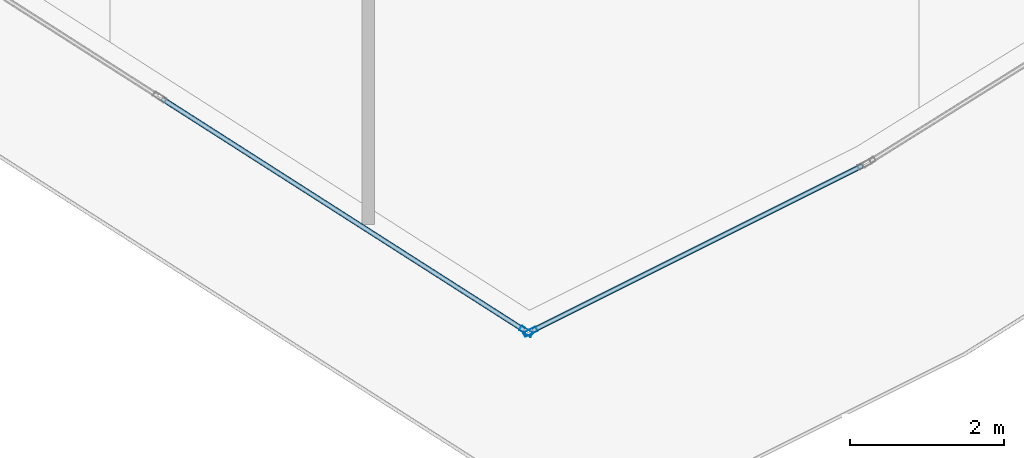
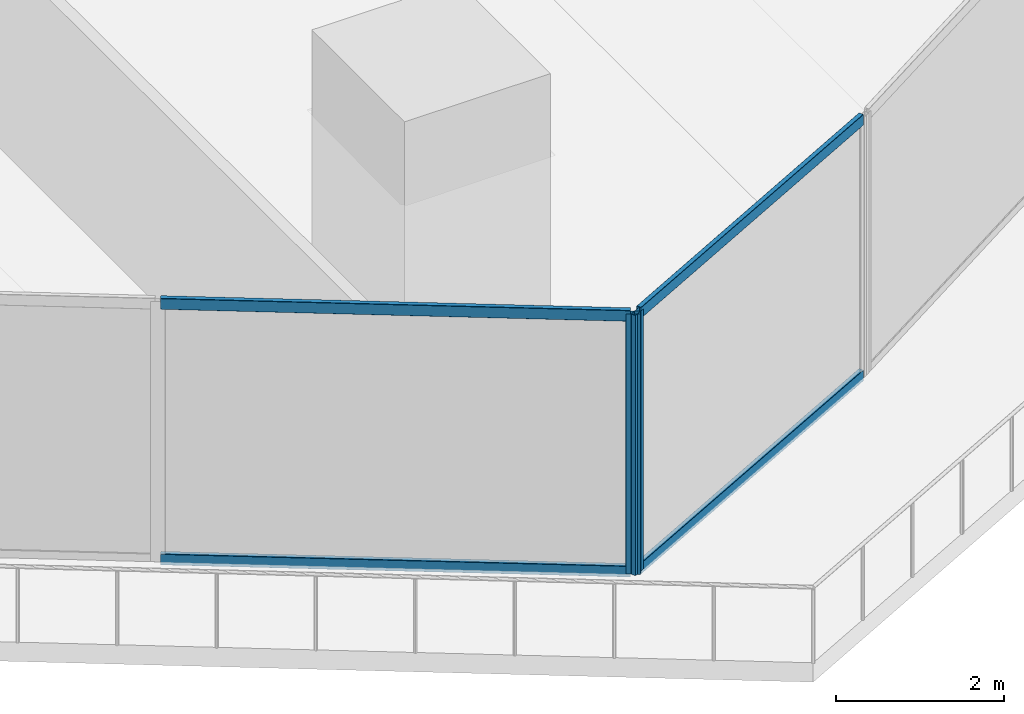
# One storey, part 8 of 42: 6 members, 2 elements without a shape of their own.
"""IFC4 building model written with IfcOpenShell, lengths in metres."""

from ifc_helpers import new_model, si_unit, direction, frame, origin, origin_2d, place, context, subcontext, project, spatial, hollow_rectangle, extrude, material, layer, layer_set, material_profile, profile_set, type_object, element, aggregate, save


model = new_model("IFC4")

# Units and contexts
model_context = context("Model", 3, precision=1e-05, world=origin(), true_north=direction((0.0, 1.0)))
body_context = subcontext(model_context, "Body", "Model", "MODEL_VIEW")
ifc_project = project(units=[si_unit("LENGTHUNIT", "METRE"), si_unit("AREAUNIT", "SQUARE_METRE"), si_unit("VOLUMEUNIT", "CUBIC_METRE"), si_unit("PLANEANGLEUNIT", "RADIAN"), si_unit("MASSUNIT", "GRAM", prefix="KILO")], contexts=[model_context])

# Site, building, storey
site_placement = place(None, origin())
site = spatial("IfcSite", under=ifc_project, at=site_placement, CompositionType="ELEMENT")
building_placement = place(site_placement, origin())
building = spatial("IfcBuilding", under=site, at=building_placement, Name="Qorvath Tower", CompositionType="ELEMENT")
storey_placement = place(building_placement, frame((0.0, 0.0, 117.89990234375)))
storey = spatial("IfcBuildingStorey", under=building, at=storey_placement, Name="L26", CompositionType="ELEMENT", Elevation=117.89990234375)

# Curtain wall, member
ifc_material_1 = material(Name="Anodised aluminium and triple low-E glass", Category="aluminium")
ifc_layer = layer(ifc_material_1, 0.179931640625)
ifc_layer_set = layer_set([ifc_layer], Name="CW-SYS-2")
curtain_wall_type = type_object("IfcCurtainWallType", Name="CW-SYS-2", PredefinedType="NOTDEFINED", material=ifc_layer_set)
curtain_wall_1_placement = place(storey_placement, origin())
curtain_wall_1 = element("IfcCurtainWall", 1, at=curtain_wall_1_placement, inside=storey, type_object=curtain_wall_type, Name="Curtain Wall CW-2 CW-T-L26-2.2", PredefinedType="NOTDEFINED")
ifc_material_2 = material(Name="Anodised aluminium 6063-T6", Category="aluminium")
ifc_material_profile_1 = material_profile(ifc_material_2, hollow_rectangle(XDim=0.06494140625, YDim=0.179931640625, WallThickness=0.00341796875, InnerFilletRadius=0.00341796875, OuterFilletRadius=0.007080078125, at=origin_2d()), Name="CWM 180x65")
ifc_profile_set_1 = profile_set([ifc_material_profile_1], Name="Anodised aluminium 6063-T6")
member_type_1 = type_object("IfcMemberType", Name="CWM-180", PredefinedType="MULLION", material=ifc_profile_set_1)
member_1_placement = place(storey_placement, frame((-15.76416015625, -30.772216796875, 0.0), z_axis=(0.0, 0.0, 1.0), x_axis=(0.538536165559, 0.84260239638, 0.0)))
member_1 = element("IfcMember", 2, at=member_1_placement, type_object=member_type_1, Name="CW-2 mullion 5", PredefinedType="MULLION", context=body_context, shape_type="SweptSolid", body=[
    extrude(hollow_rectangle(XDim=0.06494140625, YDim=0.179931640625, WallThickness=0.00341796875, InnerFilletRadius=0.00341796875, OuterFilletRadius=0.007080078125, at=origin_2d()), origin(), (0.0, 0.0, 1.0), 3.77001953125),
])

curtain_wall_2_placement = place(storey_placement, origin())
curtain_wall_2 = element("IfcCurtainWall", 3, at=curtain_wall_2_placement, inside=storey, type_object=curtain_wall_type, Name="Curtain Wall CW-2 CW-T-L26-3.1", PredefinedType="NOTDEFINED")
member_2_placement = place(storey_placement, frame((-15.707763671875, -30.775146484375, 0.0), z_axis=(0.0, 0.0, 1.0), x_axis=(-0.447262398188, 0.894402787992, 0.0)))
member_2 = element("IfcMember", 4, at=member_2_placement, type_object=member_type_1, Name="CW-2 mullion 1", PredefinedType="MULLION", context=body_context, shape_type="SweptSolid", body=[
    extrude(hollow_rectangle(XDim=0.06494140625, YDim=0.179931640625, WallThickness=0.00341796875, InnerFilletRadius=0.00341796875, OuterFilletRadius=0.007080078125, at=origin_2d()), origin(), (0.0, 0.0, 1.0), 3.77001953125),
])

# Member
ifc_material_3 = material(Name="Anodised aluminium 6063-T6", Category="aluminium")
ifc_material_profile_2 = material_profile(ifc_material_3, hollow_rectangle(XDim=0.06494140625, YDim=0.159912109375, WallThickness=0.00341796875, InnerFilletRadius=0.00341796875, OuterFilletRadius=0.007080078125, at=origin_2d()), Name="CWT 160x65")
ifc_profile_set_2 = profile_set([ifc_material_profile_2], Name="Anodised aluminium 6063-T6")
member_type_2 = type_object("IfcMemberType", Name="CWT-160", PredefinedType="USERDEFINED", material=ifc_profile_set_2)
member_3_placement = place(storey_placement, frame((-20.49560546875, -27.748046875, 0.032470703125), z_axis=(0.842599248295, -0.538541091071, 0.0), x_axis=(0.538541091071, 0.842599248295, 0.0)))
member_3 = element("IfcMember", 5, at=member_3_placement, type_object=member_type_2, Name="CW-2 transom 4.1", ObjectType="TRANSOM", PredefinedType="USERDEFINED", context=body_context, shape_type="SweptSolid", body=[
    extrude(hollow_rectangle(XDim=0.06494140625, YDim=0.159912109375, WallThickness=0.00341796875, InnerFilletRadius=0.00341796875, OuterFilletRadius=0.007080078125, at=origin_2d()), origin(), (0.0, 0.0, 1.0), 5.582763671875),
])

member_4_placement = place(storey_placement, frame((-20.49560546875, -27.748046875, 3.737548828125), z_axis=(0.842599248295, -0.538541091071, 0.0), x_axis=(0.538541091071, 0.842599248295, 0.0)))
member_4 = element("IfcMember", 6, at=member_4_placement, type_object=member_type_2, Name="CW-2 transom 4.2", ObjectType="TRANSOM", PredefinedType="USERDEFINED", context=body_context, shape_type="SweptSolid", body=[
    extrude(hollow_rectangle(XDim=0.06494140625, YDim=0.159912109375, WallThickness=0.00341796875, InnerFilletRadius=0.00341796875, OuterFilletRadius=0.007080078125, at=origin_2d()), origin(), (0.0, 0.0, 1.0), 5.582763671875),
])

aggregate(curtain_wall_1, [member_1, member_3, member_4])

member_5_placement = place(storey_placement, frame((-15.6787109375, -30.760498046875, 0.032470703125), z_axis=(0.894406793107, 0.447254388959, 0.0), x_axis=(-0.447254388959, 0.894406793107, 0.0)))
member_5 = element("IfcMember", 7, at=member_5_placement, type_object=member_type_2, Name="CW-2 transom 1.1", ObjectType="TRANSOM", PredefinedType="USERDEFINED", context=body_context, shape_type="SweptSolid", body=[
    extrude(hollow_rectangle(XDim=0.06494140625, YDim=0.159912109375, WallThickness=0.00341796875, InnerFilletRadius=0.00341796875, OuterFilletRadius=0.007080078125, at=origin_2d()), origin(), (0.0, 0.0, 1.0), 4.787841796875),
])

member_6_placement = place(storey_placement, frame((-15.6787109375, -30.760498046875, 3.737548828125), z_axis=(0.894406793107, 0.447254388959, 0.0), x_axis=(-0.447254388959, 0.894406793107, 0.0)))
member_6 = element("IfcMember", 8, at=member_6_placement, type_object=member_type_2, Name="CW-2 transom 1.2", ObjectType="TRANSOM", PredefinedType="USERDEFINED", context=body_context, shape_type="SweptSolid", body=[
    extrude(hollow_rectangle(XDim=0.06494140625, YDim=0.159912109375, WallThickness=0.00341796875, InnerFilletRadius=0.00341796875, OuterFilletRadius=0.007080078125, at=origin_2d()), origin(), (0.0, 0.0, 1.0), 4.787841796875),
])

aggregate(curtain_wall_2, [member_2, member_5, member_6])

save(model, "model.ifc")
